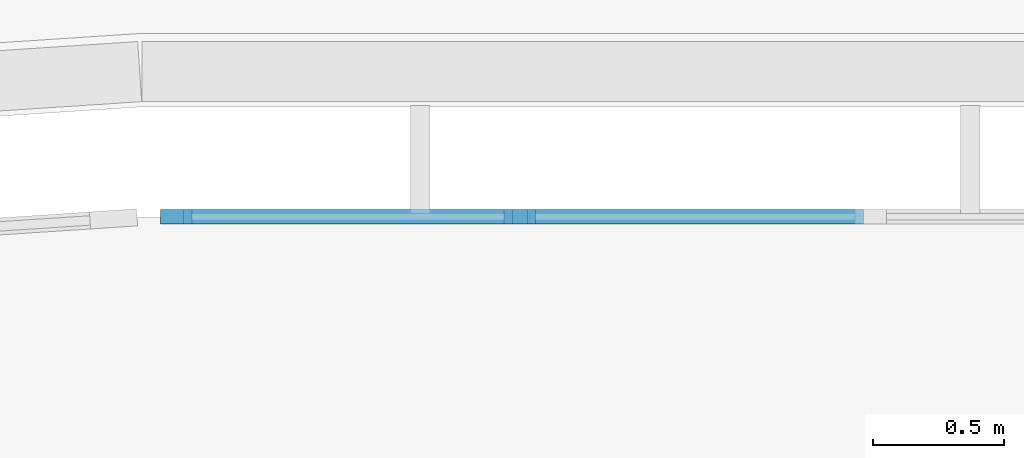
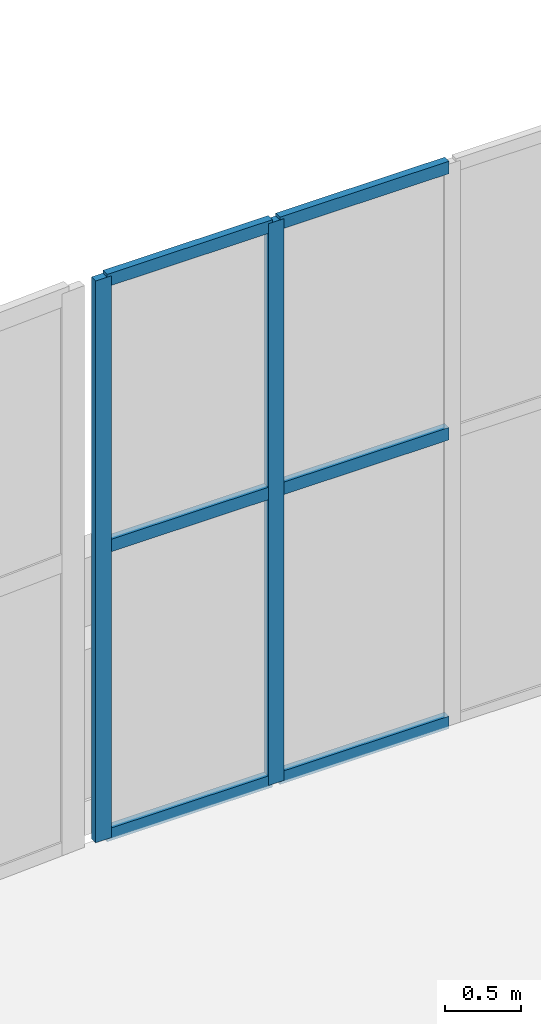
# One storey, part 28 of 96: 8 members, 1 element without a shape of its own.
"""IFC4 building model written with IfcOpenShell, lengths in metres."""

from ifc_helpers import new_model, si_unit, direction, frame, origin, origin_2d, place, context, subcontext, project, spatial, rectangle, extrude, material, layer, layer_set, material_profile, profile_set, type_object, element, aggregate, save


model = new_model("IFC4")

# Units and contexts
model_context = context("Model", 3, precision=1e-05, world=origin(), true_north=direction((0.0, 1.0)))
body_context = subcontext(model_context, "Body", "Model", "MODEL_VIEW")
ifc_project = project(units=[si_unit("LENGTHUNIT", "METRE"), si_unit("AREAUNIT", "SQUARE_METRE"), si_unit("VOLUMEUNIT", "CUBIC_METRE"), si_unit("PLANEANGLEUNIT", "RADIAN"), si_unit("MASSUNIT", "GRAM", prefix="KILO")], contexts=[model_context])

# Site, building, storey
site_placement = place(None, origin())
site = spatial("IfcSite", under=ifc_project, at=site_placement, CompositionType="ELEMENT")
building_placement = place(site_placement, origin())
building = spatial("IfcBuilding", under=site, at=building_placement, Name="Cendralis Terraced Arcade", CompositionType="ELEMENT")
storey_placement = place(building_placement, frame((0.0, 0.0, 10.199951171875)))
storey = spatial("IfcBuildingStorey", under=building, at=storey_placement, Name="L02", CompositionType="ELEMENT", Elevation=10.199951171875)

# Curtain wall, members
ifc_material = material(Name="Anodised aluminium EN AW-6063 T6", Category="aluminium")
ifc_layer = layer(ifc_material, 0.1201171875, Name="CW-STORE-B")
ifc_layer_set = layer_set([ifc_layer], Name="Anodised aluminium EN AW-6063 T6")
curtain_wall_type = type_object("IfcCurtainWallType", Name="CW-STORE-B", PredefinedType="USERDEFINED", material=ifc_layer_set)
curtain_wall_placement = place(storey_placement, origin())
curtain_wall = element("IfcCurtainWall", 1, at=curtain_wall_placement, inside=storey, type_object=curtain_wall_type, Name="Exterior Storefront Glazing CW-L02-0152", ObjectType="STOREFRONT GLAZING", PredefinedType="USERDEFINED")
ifc_material_profile_1 = material_profile(ifc_material, rectangle(XDim=0.054931640625, YDim=0.1201171875, at=origin_2d()), Name="ALU-MUL-55x120")
ifc_profile_set_1 = profile_set([ifc_material_profile_1], Name="Anodised aluminium EN AW-6063 T6")
member_type_1 = type_object("IfcMemberType", Name="CW-STORE-B-MUL", PredefinedType="MULLION", material=ifc_profile_set_1)
member_1_placement = place(storey_placement, frame((63.117431640625, 112.800048828125, 0.0), z_axis=(0.0, 0.0, 1.0), x_axis=(0.0, 1.0, 0.0)))
member_1 = element("IfcMember", 2, at=member_1_placement, type_object=member_type_1, Name="CW-S2 mullion 1", PredefinedType="MULLION", context=body_context, shape_type="SweptSolid", body=[
    extrude(rectangle(XDim=0.054931640625, YDim=0.1201171875, at=origin_2d()), origin(), (0.0, 0.0, 1.0), 4.51513671875),
])
member_2_placement = place(storey_placement, frame((64.429931640625, 112.800048828125, 0.0), z_axis=(0.0, 0.0, 1.0), x_axis=(0.0, 1.0, 0.0)))
member_2 = element("IfcMember", 3, at=member_2_placement, type_object=member_type_1, Name="CW-S2 mullion 2", PredefinedType="MULLION", context=body_context, shape_type="SweptSolid", body=[
    extrude(rectangle(XDim=0.054931640625, YDim=0.1201171875, at=origin_2d()), origin(), (0.0, 0.0, 1.0), 4.51513671875),
])
ifc_material_profile_2 = material_profile(ifc_material, rectangle(XDim=0.054931640625, YDim=0.10009765625, at=origin_2d()), Name="ALU-TRN-55x100")
ifc_profile_set_2 = profile_set([ifc_material_profile_2], Name="Anodised aluminium EN AW-6063 T6")
member_type_2 = type_object("IfcMemberType", Name="CW-STORE-B-TRN", PredefinedType="USERDEFINED", material=ifc_profile_set_2)
member_3_placement = place(storey_placement, frame((63.14501953125, 112.800048828125, 0.027587890625), z_axis=(1.0, 0.0, 0.0), x_axis=(0.0, 1.0, 0.0)))
member_3 = element("IfcMember", 4, at=member_3_placement, type_object=member_type_2, Name="CW-S2 transom 1.1", ObjectType="TRANSOM", PredefinedType="USERDEFINED", context=body_context, shape_type="SweptSolid", body=[
    extrude(rectangle(XDim=0.054931640625, YDim=0.10009765625, at=origin_2d()), origin(), (0.0, 0.0, 1.0), 1.257568359375),
])
member_4_placement = place(storey_placement, frame((63.14501953125, 112.800048828125, 2.347900390625), z_axis=(1.0, 0.0, 0.0), x_axis=(0.0, 1.0, 0.0)))
member_4 = element("IfcMember", 5, at=member_4_placement, type_object=member_type_2, Name="CW-S2 transom 1.2", ObjectType="TRANSOM", PredefinedType="USERDEFINED", context=body_context, shape_type="SweptSolid", body=[
    extrude(rectangle(XDim=0.054931640625, YDim=0.10009765625, at=origin_2d()), origin(), (0.0, 0.0, 1.0), 1.257568359375),
])
member_5_placement = place(storey_placement, frame((63.14501953125, 112.800048828125, 4.487548828125), z_axis=(1.0, 0.0, 0.0), x_axis=(0.0, 1.0, 0.0)))
member_5 = element("IfcMember", 6, at=member_5_placement, type_object=member_type_2, Name="CW-S2 transom 1.3", ObjectType="TRANSOM", PredefinedType="USERDEFINED", context=body_context, shape_type="SweptSolid", body=[
    extrude(rectangle(XDim=0.054931640625, YDim=0.10009765625, at=origin_2d()), origin(), (0.0, 0.0, 1.0), 1.257568359375),
])
member_6_placement = place(storey_placement, frame((64.45751953125, 112.800048828125, 0.027587890625), z_axis=(1.0, 0.0, 0.0), x_axis=(0.0, 1.0, 0.0)))
member_6 = element("IfcMember", 7, at=member_6_placement, type_object=member_type_2, Name="CW-S2 transom 2.1", ObjectType="TRANSOM", PredefinedType="USERDEFINED", context=body_context, shape_type="SweptSolid", body=[
    extrude(rectangle(XDim=0.054931640625, YDim=0.10009765625, at=origin_2d()), origin(), (0.0, 0.0, 1.0), 1.284912109375),
])
member_7_placement = place(storey_placement, frame((64.45751953125, 112.800048828125, 2.347900390625), z_axis=(1.0, 0.0, 0.0), x_axis=(0.0, 1.0, 0.0)))
member_7 = element("IfcMember", 8, at=member_7_placement, type_object=member_type_2, Name="CW-S2 transom 2.2", ObjectType="TRANSOM", PredefinedType="USERDEFINED", context=body_context, shape_type="SweptSolid", body=[
    extrude(rectangle(XDim=0.054931640625, YDim=0.10009765625, at=origin_2d()), origin(), (0.0, 0.0, 1.0), 1.284912109375),
])
member_8_placement = place(storey_placement, frame((64.45751953125, 112.800048828125, 4.487548828125), z_axis=(1.0, 0.0, 0.0), x_axis=(0.0, 1.0, 0.0)))
member_8 = element("IfcMember", 9, at=member_8_placement, type_object=member_type_2, Name="CW-S2 transom 2.3", ObjectType="TRANSOM", PredefinedType="USERDEFINED", context=body_context, shape_type="SweptSolid", body=[
    extrude(rectangle(XDim=0.054931640625, YDim=0.10009765625, at=origin_2d()), origin(), (0.0, 0.0, 1.0), 1.284912109375),
])
aggregate(curtain_wall, [member_1, member_2, member_3, member_4, member_5, member_6, member_7, member_8])

save(model, "model.ifc")
